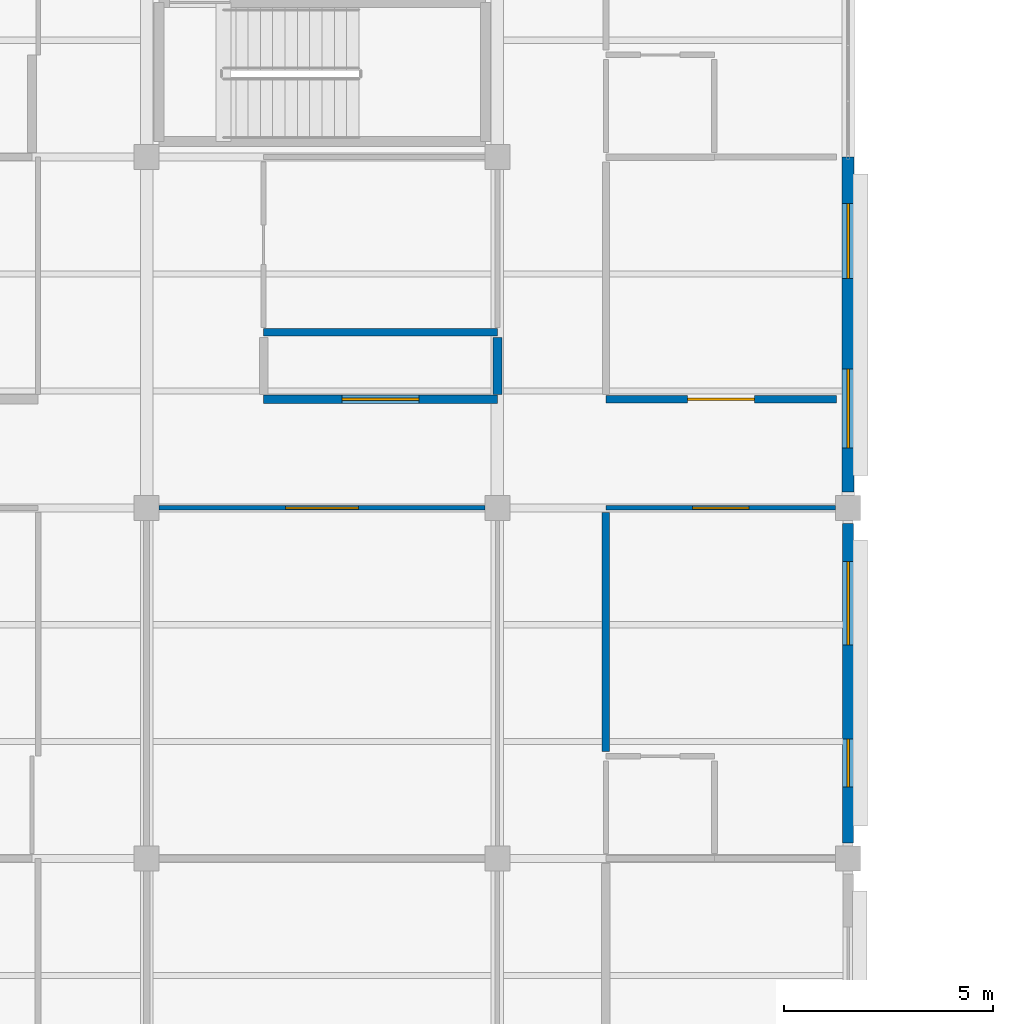
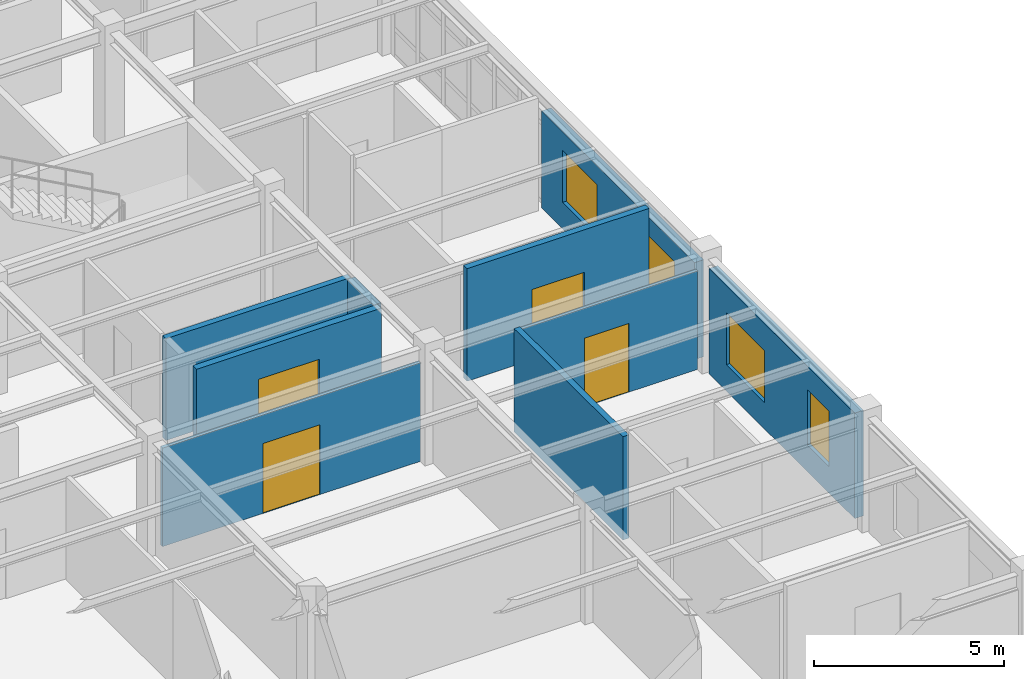
# One storey, part 55 of 86: 9 walls, 4 doors, 4 windows, 8 openings.
"""IFC4 building model written with IfcOpenShell, lengths in metres."""

from ifc_helpers import new_model, si_unit, direction, frame, frame_2d, origin, place, context, subcontext, project, spatial, rectangle, extrude, material, layer, layer_set, type_object, element, fill, save


model = new_model("IFC4")

# Units and contexts
model_context = context("Model", 3, precision=1e-05, world=origin(), true_north=direction((0.0, 1.0)))
body_context = subcontext(model_context, "Body", "Model", "MODEL_VIEW")
ifc_project = project(units=[si_unit("LENGTHUNIT", "METRE"), si_unit("AREAUNIT", "SQUARE_METRE"), si_unit("VOLUMEUNIT", "CUBIC_METRE"), si_unit("PLANEANGLEUNIT", "RADIAN"), si_unit("MASSUNIT", "GRAM", prefix="KILO")], contexts=[model_context])

# Site, building, storey
site_placement = place(None, origin())
site = spatial("IfcSite", under=ifc_project, at=site_placement, CompositionType="ELEMENT")
building_placement = place(site_placement, origin())
building = spatial("IfcBuilding", under=site, at=building_placement, Name="Bramfleet General Hospital", CompositionType="ELEMENT")
storey_placement = place(building_placement, frame((0.0, 0.0, 18.60009765625)))
storey = spatial("IfcBuildingStorey", under=building, at=storey_placement, Name="L04", CompositionType="ELEMENT", Elevation=18.60009765625)

# Wall, openings, windows
ifc_material_1 = material(Name="Precast concrete C40/50", Category="concrete")
ifc_layer_1 = layer(ifc_material_1, 0.280029296875, Name="WT-EW-06")
ifc_layer_set_1 = layer_set([ifc_layer_1], Name="Precast concrete C40/50")
wall_type_1 = type_object("IfcWallType", Name="WT-EW-06", PredefinedType="SOLIDWALL", material=ifc_layer_set_1)
wall_1_placement = place(storey_placement, frame((117.60009765625, 67.199951171875, 0.0), z_axis=(0.0, 0.0, 1.0), x_axis=(0.0, -1.0, 0.0)))
wall_1 = element("IfcWall", 1, at=wall_1_placement, inside=storey, type_object=wall_type_1, Name="L04 Exterior Wall 305", PredefinedType="SOLIDWALL", context=body_context, shape_type="SweptSolid", body=[
    extrude(rectangle(XDim=8.02490234375, YDim=0.280029296875, at=frame_2d((4.012451171875, 0.0))), origin(), (0.0, 0.0, 1.0), 3.10986328125),
])
opening_1_placement = place(wall_1_placement, frame((1.106201171875, 0.0, 0.85009765625)))
opening_1 = element("IfcOpeningElement", 2, at=opening_1_placement, cuts=wall_1, Name="Opening W-38", PredefinedType="OPENING", context=body_context, shape_type="SweptSolid", body=[
    extrude(rectangle(XDim=1.800048828125, YDim=1.659912109375, at=frame_2d((0.89990234375, 0.830078125))), frame((0.0, 0.14990234375, 0.0), z_axis=(0.0, -1.0, 0.0), x_axis=(1.0, 0.0, 0.0)), (0.0, 0.0, 1.0), 0.300048828125),
])
opening_2_placement = place(wall_1_placement, frame((5.06884765625, 0.0, 0.85009765625)))
opening_2 = element("IfcOpeningElement", 3, at=opening_2_placement, cuts=wall_1, Name="Opening W-39", PredefinedType="OPENING", context=body_context, shape_type="SweptSolid", body=[
    extrude(rectangle(XDim=1.89990234375, YDim=1.659912109375, at=frame_2d((0.949951171875, 0.830078125))), frame((0.0, 0.14990234375, 0.0), z_axis=(0.0, -1.0, 0.0), x_axis=(1.0, 0.0, 0.0)), (0.0, 0.0, 1.0), 0.300048828125),
])
ifc_material_2 = material(Name="Anodised aluminium and low-E triple glazing", Category="aluminium")
window_type_1 = type_object("IfcWindowType", Name="WIN-W-38", PartitioningType="SINGLE_PANEL", PredefinedType="WINDOW", material=ifc_material_2)
window_1_placement = place(opening_1_placement, origin())
window_1 = element("IfcWindow", 4, at=window_1_placement, inside=storey, type_object=window_type_1, Name="L04 Facade Window WIN-L04-305-1", OverallHeight=1.659912109375, OverallWidth=1.800048828125, PartitioningType="SINGLE_PANEL", PredefinedType="WINDOW", context=body_context, shape_type="SweptSolid", body=[
    extrude(rectangle(XDim=1.800048828125, YDim=1.659912109375, at=frame_2d((0.89990234375, 0.830078125))), frame((0.0, 0.030029296875, 0.0), z_axis=(0.0, -1.0, 0.0), x_axis=(1.0, 0.0, 0.0)), (0.0, 0.0, 1.0), 0.06005859375),
])
fill(opening_1, window_1)
window_type_2 = type_object("IfcWindowType", Name="WIN-W-39", PartitioningType="SINGLE_PANEL", PredefinedType="WINDOW", material=ifc_material_2)
window_2_placement = place(opening_2_placement, origin())
window_2 = element("IfcWindow", 5, at=window_2_placement, inside=storey, type_object=window_type_2, Name="L04 Facade Window WIN-L04-305-2", OverallHeight=1.659912109375, OverallWidth=1.89990234375, PartitioningType="SINGLE_PANEL", PredefinedType="WINDOW", context=body_context, shape_type="SweptSolid", body=[
    extrude(rectangle(XDim=1.89990234375, YDim=1.659912109375, at=frame_2d((0.949951171875, 0.830078125))), frame((0.0, 0.030029296875, 0.0), z_axis=(0.0, -1.0, 0.0), x_axis=(1.0, 0.0, 0.0)), (0.0, 0.0, 1.0), 0.06005859375),
])
fill(opening_2, window_2)

ifc_layer_2 = layer(ifc_material_1, 0.264892578125, Name="WT-EW-07")
ifc_layer_set_2 = layer_set([ifc_layer_2], Name="Precast concrete C40/50")
wall_type_2 = type_object("IfcWallType", Name="WT-EW-07", PredefinedType="SOLIDWALL", material=ifc_layer_set_2)
wall_2_placement = place(storey_placement, frame((117.60009765625, 58.425048828125, 0.0), z_axis=(0.0, 0.0, 1.0), x_axis=(0.0, -1.0, 0.0)))
wall_2 = element("IfcWall", 6, at=wall_2_placement, inside=storey, type_object=wall_type_2, Name="L04 Exterior Wall 306", PredefinedType="SOLIDWALL", context=body_context, shape_type="SweptSolid", body=[
    extrude(rectangle(XDim=7.650146484375, YDim=0.264892578125, at=frame_2d((3.8251953125, 0.0))), origin(), (0.0, 0.0, 1.0), 3.3798828125),
])
opening_3_placement = place(wall_2_placement, frame((0.91259765625, 0.0, 0.85009765625)))
opening_3 = element("IfcOpeningElement", 7, at=opening_3_placement, cuts=wall_2, Name="Opening W-40", PredefinedType="OPENING", context=body_context, shape_type="SweptSolid", body=[
    extrude(rectangle(XDim=2.0, YDim=1.659912109375, at=frame_2d((1.0, 0.830078125))), frame((0.0, 0.142333984375, 0.0), z_axis=(0.0, -1.0, 0.0), x_axis=(1.0, 0.0, 0.0)), (0.0, 0.0, 1.0), 0.284912109375),
])
opening_4_placement = place(wall_2_placement, frame((5.16259765625, 0.0, 0.85009765625)))
opening_4 = element("IfcOpeningElement", 8, at=opening_4_placement, cuts=wall_2, Name="Opening W-41", PredefinedType="OPENING", context=body_context, shape_type="SweptSolid", body=[
    extrude(rectangle(XDim=1.14990234375, YDim=1.780029296875, at=frame_2d((0.574951171875, 0.89013671875))), frame((0.0, 0.142333984375, 0.0), z_axis=(0.0, -1.0, 0.0), x_axis=(1.0, 0.0, 0.0)), (0.0, 0.0, 1.0), 0.284912109375),
])
window_type_3 = type_object("IfcWindowType", Name="WIN-W-40", PartitioningType="SINGLE_PANEL", PredefinedType="WINDOW", material=ifc_material_2)
window_3_placement = place(opening_3_placement, origin())
window_3 = element("IfcWindow", 9, at=window_3_placement, inside=storey, type_object=window_type_3, Name="L04 Facade Window WIN-L04-306-1", OverallHeight=1.659912109375, OverallWidth=2.0, PartitioningType="SINGLE_PANEL", PredefinedType="WINDOW", context=body_context, shape_type="SweptSolid", body=[
    extrude(rectangle(XDim=2.0, YDim=1.659912109375, at=frame_2d((1.0, 0.830078125))), frame((0.0, 0.030029296875, 0.0), z_axis=(0.0, -1.0, 0.0), x_axis=(1.0, 0.0, 0.0)), (0.0, 0.0, 1.0), 0.06005859375),
])
fill(opening_3, window_3)
window_type_4 = type_object("IfcWindowType", Name="WIN-W-41", PartitioningType="SINGLE_PANEL", PredefinedType="WINDOW", material=ifc_material_2)
window_4_placement = place(opening_4_placement, origin())
window_4 = element("IfcWindow", 10, at=window_4_placement, inside=storey, type_object=window_type_4, Name="L04 Facade Window WIN-L04-306-2", OverallHeight=1.780029296875, OverallWidth=1.14990234375, PartitioningType="SINGLE_PANEL", PredefinedType="WINDOW", context=body_context, shape_type="SweptSolid", body=[
    extrude(rectangle(XDim=1.14990234375, YDim=1.780029296875, at=frame_2d((0.574951171875, 0.89013671875))), frame((0.0, 0.030029296875, 0.0), z_axis=(0.0, -1.0, 0.0), x_axis=(1.0, 0.0, 0.0)), (0.0, 0.0, 1.0), 0.06005859375),
])
fill(opening_4, window_4)

# Wall
ifc_material_3 = material(Name="Concrete C35/45", Category="concrete")
ifc_layer_3 = layer(ifc_material_3, 0.219970703125, Name="WT-IW-01")
ifc_layer_set_3 = layer_set([ifc_layer_3], Name="Concrete C35/45")
wall_type_3 = type_object("IfcWallType", Name="WT-IW-01", PredefinedType="PARTITIONING", material=ifc_layer_set_3)
wall_3_placement = place(storey_placement, frame((109.199951171875, 61.514892578125, 0.0), z_axis=(0.0, 0.0, 1.0), x_axis=(0.0, 1.0, 0.0)))
element("IfcWall", 11, at=wall_3_placement, inside=storey, type_object=wall_type_3, Name="L04 Interior Partition IW-L04-3373", PredefinedType="PARTITIONING", context=body_context, shape_type="SweptSolid", body=[
    extrude(rectangle(XDim=1.3701171875, YDim=0.219970703125, at=frame_2d((0.68505859375, 0.0))), origin(), (0.0, 0.0, 1.0), 3.260009765625),
])

# Wall, opening, door
ifc_layer_4 = layer(ifc_material_3, 0.205078125, Name="WT-IW-02")
ifc_layer_set_4 = layer_set([ifc_layer_4], Name="Concrete C35/45")
wall_type_4 = type_object("IfcWallType", Name="WT-IW-02", PredefinedType="PARTITIONING", material=ifc_layer_set_4)
wall_4_placement = place(storey_placement, frame((103.60009765625, 61.39990234375, 0.0), z_axis=(0.0, 0.0, 1.0), x_axis=(1.0, 0.0, 0.0)))
wall_4 = element("IfcWall", 12, at=wall_4_placement, inside=storey, type_object=wall_type_4, Name="L04 Interior Partition IW-L04-3158", PredefinedType="PARTITIONING", context=body_context, shape_type="SweptSolid", body=[
    extrude(rectangle(XDim=5.599853515625, YDim=0.205078125, at=frame_2d((2.7998046875, 0.0))), origin(), (0.0, 0.0, 1.0), 3.260009765625),
])
opening_5_placement = place(wall_4_placement, frame((1.8798828125, 0.0, 0.0)))
opening_5 = element("IfcOpeningElement", 13, at=opening_5_placement, cuts=wall_4, Name="Opening D1268", PredefinedType="OPENING", context=body_context, shape_type="SweptSolid", body=[
    extrude(rectangle(XDim=1.840087890625, YDim=2.280029296875, at=frame_2d((0.919921875, 1.14013671875))), frame((0.0, 0.112548828125, 0.0), z_axis=(0.0, -1.0, 0.0), x_axis=(1.0, 0.0, 0.0)), (0.0, 0.0, 1.0), 0.22509765625),
])
ifc_material_4 = material(Name="Stainless steel and acoustic timber leaf", Category="steel")
door_type_1 = type_object("IfcDoorType", Name="DR-D-20", OperationType="NOTDEFINED", PredefinedType="DOOR", material=ifc_material_4)
door_1_placement = place(opening_5_placement, origin())
door_1 = element("IfcDoor", 14, at=door_1_placement, inside=storey, type_object=door_type_1, Name="Clean Medication and Treatment Room L04-1207 Door D1268", OperationType="DOUBLE_SWING_LEFT", OverallHeight=2.280029296875, OverallWidth=1.840087890625, PredefinedType="DOOR", context=body_context, shape_type="SweptSolid", body=[
    extrude(rectangle(XDim=1.840087890625, YDim=2.280029296875, at=frame_2d((0.919921875, 1.14013671875))), frame((0.0, 0.02490234375, 0.0), z_axis=(0.0, -1.0, 0.0), x_axis=(1.0, 0.0, 0.0)), (0.0, 0.0, 1.0), 0.050048828125),
])
fill(opening_5, door_1)

ifc_layer_5 = layer(ifc_material_3, 0.18994140625, Name="WT-IW-03")
ifc_layer_set_5 = layer_set([ifc_layer_5], Name="Concrete C35/45")
wall_type_5 = type_object("IfcWallType", Name="WT-IW-03", PredefinedType="PARTITIONING", material=ifc_layer_set_5)
wall_5_placement = place(storey_placement, frame((111.800048828125, 61.39990234375, 0.0), z_axis=(0.0, 0.0, 1.0), x_axis=(1.0, 0.0, 0.0)))
wall_5 = element("IfcWall", 15, at=wall_5_placement, inside=storey, type_object=wall_type_5, Name="L04 Interior Partition IW-L04-3159", PredefinedType="PARTITIONING", context=body_context, shape_type="SweptSolid", body=[
    extrude(rectangle(XDim=5.52001953125, YDim=0.18994140625, at=frame_2d((2.760009765625, 0.0))), origin(), (0.0, 0.0, 1.0), 3.60986328125),
])
opening_6_placement = place(wall_5_placement, frame((1.9599609375, 0.0, 0.0)))
opening_6 = element("IfcOpeningElement", 16, at=opening_6_placement, cuts=wall_5, Name="Opening D1284", PredefinedType="OPENING", context=body_context, shape_type="SweptSolid", body=[
    extrude(rectangle(XDim=1.60009765625, YDim=2.25, at=frame_2d((0.800048828125, 1.125))), frame((0.0, 0.10498046875, 0.0), z_axis=(0.0, -1.0, 0.0), x_axis=(1.0, 0.0, 0.0)), (0.0, 0.0, 1.0), 0.2099609375),
])
door_type_2 = type_object("IfcDoorType", Name="DR-D-04", OperationType="NOTDEFINED", PredefinedType="DOOR", material=ifc_material_4)
door_2_placement = place(opening_6_placement, origin())
door_2 = element("IfcDoor", 17, at=door_2_placement, inside=storey, type_object=door_type_2, Name="Surgical Inpatient Ward Bedroom L04-1307 Door D1284", OperationType="DOUBLE_SWING_LEFT", OverallHeight=2.25, OverallWidth=1.60009765625, PredefinedType="DOOR", context=body_context, shape_type="SweptSolid", body=[
    extrude(rectangle(XDim=1.60009765625, YDim=2.25, at=frame_2d((0.800048828125, 1.125))), frame((0.0, 0.02490234375, 0.0), z_axis=(0.0, -1.0, 0.0), x_axis=(1.0, 0.0, 0.0)), (0.0, 0.0, 1.0), 0.050048828125),
])
fill(opening_6, door_2)

# Walls
ifc_layer_6 = layer(ifc_material_3, 0.179931640625, Name="WT-IW-04")
ifc_layer_set_6 = layer_set([ifc_layer_6], Name="Concrete C35/45")
wall_type_6 = type_object("IfcWallType", Name="WT-IW-04", PredefinedType="PARTITIONING", material=ifc_layer_set_6)
wall_6_placement = place(storey_placement, frame((103.60009765625, 63.0, 0.0), z_axis=(0.0, 0.0, 1.0), x_axis=(1.0, 0.0, 0.0)))
element("IfcWall", 18, at=wall_6_placement, inside=storey, type_object=wall_type_6, Name="L04 Interior Partition IW-L04-3160", PredefinedType="PARTITIONING", context=body_context, shape_type="SweptSolid", body=[
    extrude(rectangle(XDim=5.599853515625, YDim=0.179931640625, at=frame_2d((2.7998046875, 0.0))), origin(), (0.0, 0.0, 1.0), 3.260009765625),
])
wall_7_placement = place(storey_placement, frame((111.800048828125, 52.965087890625, 0.0), z_axis=(0.0, 0.0, 1.0), x_axis=(0.0, 1.0, 0.0)))
element("IfcWall", 19, at=wall_7_placement, inside=storey, type_object=wall_type_6, Name="L04 Interior Partition IW-L04-3388", PredefinedType="PARTITIONING", context=body_context, shape_type="SweptSolid", body=[
    extrude(rectangle(XDim=5.719970703125, YDim=0.179931640625, at=frame_2d((2.85986328125, 0.0))), origin(), (0.0, 0.0, 1.0), 3.309814453125),
])

# Wall, opening, door
ifc_material_5 = material(Name="Gypsum plasterboard on acoustic steel studs", Category="steel")
ifc_layer_7 = layer(ifc_material_5, 0.112060546875, Name="WT-IW-11")
ifc_layer_set_7 = layer_set([ifc_layer_7], Name="Gypsum plasterboard on acoustic steel studs")
wall_type_7 = type_object("IfcWallType", Name="WT-IW-11", PredefinedType="PARTITIONING", material=ifc_layer_set_7)
wall_8_placement = place(storey_placement, frame((101.094970703125, 58.800048828125, 0.0), z_axis=(0.0, 0.0, 1.0), x_axis=(1.0, 0.0, 0.0)))
wall_8 = element("IfcWall", 20, at=wall_8_placement, inside=storey, type_object=wall_type_7, Name="L04 Interior Partition IW-L04-3155", PredefinedType="PARTITIONING", context=body_context, shape_type="SweptSolid", body=[
    extrude(rectangle(XDim=7.81005859375, YDim=0.112060546875, at=frame_2d((3.905029296875, 0.0))), origin(), (0.0, 0.0, 1.0), 3.159912109375),
])
opening_7_placement = place(wall_8_placement, frame((3.034912109375, 0.0, 0.0)))
opening_7 = element("IfcOpeningElement", 21, at=opening_7_placement, cuts=wall_8, Name="Opening D1267", PredefinedType="OPENING", context=body_context, shape_type="SweptSolid", body=[
    extrude(rectangle(XDim=1.739990234375, YDim=2.239990234375, at=frame_2d((0.8701171875, 1.1201171875))), frame((0.0, 0.06591796875, 0.0), z_axis=(0.0, -1.0, 0.0), x_axis=(1.0, 0.0, 0.0)), (0.0, 0.0, 1.0), 0.132080078125),
])
door_type_3 = type_object("IfcDoorType", Name="DR-D-19", OperationType="NOTDEFINED", PredefinedType="DOOR", material=ifc_material_4)
door_3_placement = place(opening_7_placement, origin())
door_3 = element("IfcDoor", 22, at=door_3_placement, inside=storey, type_object=door_type_3, Name="Surgical Inpatient Ward Nurse Station L04-1206 Door D1267", OperationType="DOUBLE_SWING_RIGHT", OverallHeight=2.239990234375, OverallWidth=1.739990234375, PredefinedType="DOOR", context=body_context, shape_type="SweptSolid", body=[
    extrude(rectangle(XDim=1.739990234375, YDim=2.239990234375, at=frame_2d((0.8701171875, 1.1201171875))), frame((0.0, 0.02490234375, 0.0), z_axis=(0.0, -1.0, 0.0), x_axis=(1.0, 0.0, 0.0)), (0.0, 0.0, 1.0), 0.050048828125),
])
fill(opening_7, door_3)

ifc_layer_8 = layer(ifc_material_5, 0.10009765625, Name="WT-IW-12")
ifc_layer_set_8 = layer_set([ifc_layer_8], Name="Gypsum plasterboard on acoustic steel studs")
wall_type_8 = type_object("IfcWallType", Name="WT-IW-12", PredefinedType="PARTITIONING", material=ifc_layer_set_8)
wall_9_placement = place(storey_placement, frame((111.800048828125, 58.800048828125, 0.0), z_axis=(0.0, 0.0, 1.0), x_axis=(1.0, 0.0, 0.0)))
wall_9 = element("IfcWall", 23, at=wall_9_placement, inside=storey, type_object=wall_type_8, Name="L04 Interior Partition IW-L04-3156", PredefinedType="PARTITIONING", context=body_context, shape_type="SweptSolid", body=[
    extrude(rectangle(XDim=5.5048828125, YDim=0.10009765625, at=frame_2d((2.75244140625, 0.0))), origin(), (0.0, 0.0, 1.0), 3.159912109375),
])
opening_8_placement = place(wall_9_placement, frame((2.077392578125, 0.0, 0.0)))
opening_8 = element("IfcOpeningElement", 24, at=opening_8_placement, cuts=wall_9, Name="Opening D1282", PredefinedType="OPENING", context=body_context, shape_type="SweptSolid", body=[
    extrude(rectangle(XDim=1.35009765625, YDim=2.199951171875, at=frame_2d((0.675048828125, 1.10009765625))), frame((0.0, 0.06005859375, 0.0), z_axis=(0.0, -1.0, 0.0), x_axis=(1.0, 0.0, 0.0)), (0.0, 0.0, 1.0), 0.1201171875),
])
door_type_4 = type_object("IfcDoorType", Name="DR-D-02", OperationType="NOTDEFINED", PredefinedType="DOOR", material=ifc_material_4)
door_4_placement = place(opening_8_placement, origin())
door_4 = element("IfcDoor", 25, at=door_4_placement, inside=storey, type_object=door_type_4, Name="Surgical Inpatient Ward Bedroom L04-1306 Door D1282", OperationType="SINGLE_SWING_LEFT", OverallHeight=2.199951171875, OverallWidth=1.35009765625, PredefinedType="DOOR", context=body_context, shape_type="SweptSolid", body=[
    extrude(rectangle(XDim=1.35009765625, YDim=2.199951171875, at=frame_2d((0.675048828125, 1.10009765625))), frame((0.0, 0.02490234375, 0.0), z_axis=(0.0, -1.0, 0.0), x_axis=(1.0, 0.0, 0.0)), (0.0, 0.0, 1.0), 0.050048828125),
])
fill(opening_8, door_4)

save(model, "model.ifc")
